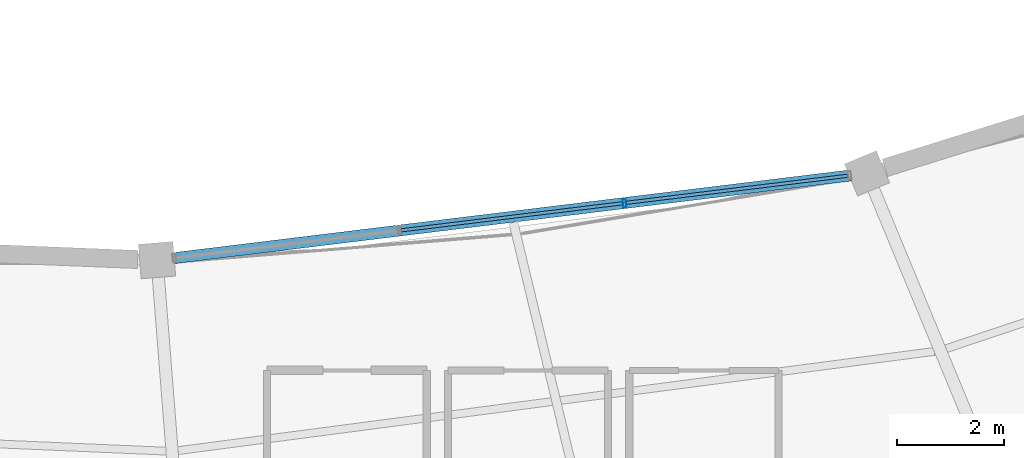
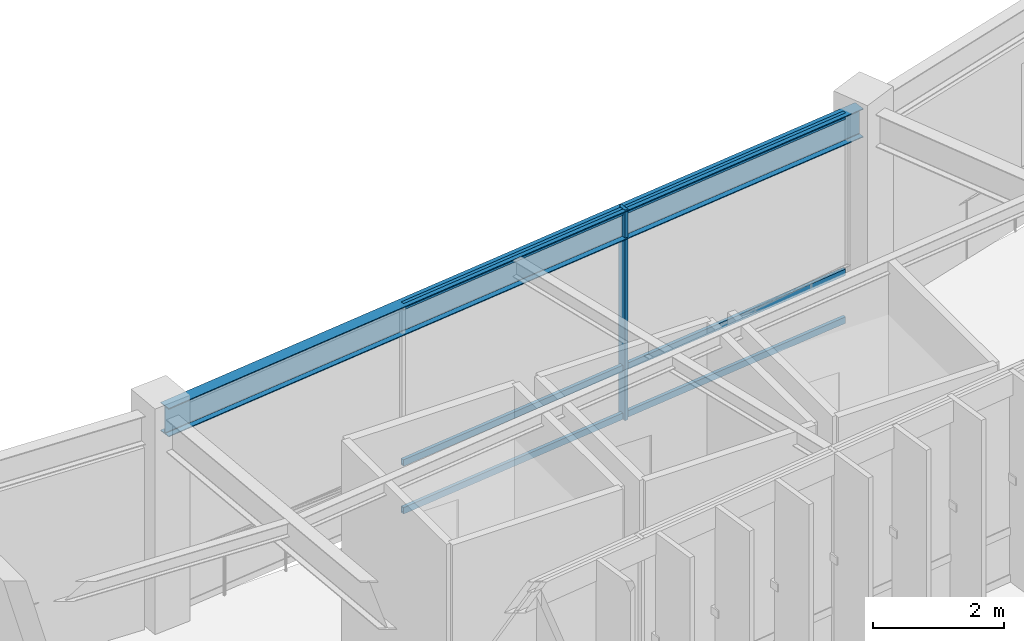
# One storey, part 53 of 138: 7 members, 1 beam, 1 element without a shape of its own.
"""IFC4 building model written with IfcOpenShell, lengths in metres."""

from ifc_helpers import new_model, si_unit, direction, frame, origin, origin_2d, place, context, subcontext, project, spatial, hollow_rectangle, i_section, extrude, material, material_profile, profile_set, type_object, element, aggregate, save


model = new_model("IFC4")

# Units and contexts
model_context = context("Model", 3, precision=1e-05, world=origin(), true_north=direction((0.0, 1.0)))
body_context = subcontext(model_context, "Body", "Model", "MODEL_VIEW")
ifc_project = project(units=[si_unit("LENGTHUNIT", "METRE"), si_unit("AREAUNIT", "SQUARE_METRE"), si_unit("VOLUMEUNIT", "CUBIC_METRE"), si_unit("PLANEANGLEUNIT", "RADIAN"), si_unit("MASSUNIT", "GRAM", prefix="KILO"), si_unit("THERMODYNAMICTEMPERATUREUNIT", "KELVIN"), si_unit("POWERUNIT", "WATT")], contexts=[model_context])

# Site, building, storey
site_placement = place(None, origin())
site = spatial("IfcSite", under=ifc_project, at=site_placement, CompositionType="ELEMENT")
building_placement = place(site_placement, origin())
building = spatial("IfcBuilding", under=site, at=building_placement, Name="Darbajah Civic Hall", CompositionType="ELEMENT")
storey_placement = place(building_placement, frame((0.0, 0.0, 9.60009765625)))
storey = spatial("IfcBuildingStorey", under=building, at=storey_placement, Name="L02", CompositionType="ELEMENT", Elevation=9.60009765625)

# Curtain wall, members
ifc_material_1 = material(Name="Anodised Bronze Aluminium and Low-E Glazing", Category="aluminium")
curtain_wall_type = type_object("IfcCurtainWallType", Name="Unitised Curtain Wall CW-50 12800x3900", PredefinedType="USERDEFINED", material=ifc_material_1)
curtain_wall_placement = place(storey_placement, origin())
curtain_wall = element("IfcCurtainWall", 1, at=curtain_wall_placement, inside=storey, type_object=curtain_wall_type, Name="L02 unitised curtain wall CW-V1I-L02-15", ObjectType="UNITISED CURTAIN WALL", PredefinedType="USERDEFINED")
ifc_material_2 = material(Name="Anodised Bronze Aluminium", Category="aluminium")
ifc_material_profile_1 = material_profile(ifc_material_2, hollow_rectangle(XDim=0.06005859375, YDim=0.159912109375, WallThickness=0.00341796875, at=origin_2d()), Name="ALU MULLION 60x160")
ifc_profile_set_1 = profile_set([ifc_material_profile_1], Name="Anodised Bronze Aluminium")
member_type_1 = type_object("IfcMemberType", Name="ALU MULLION 60x160", PredefinedType="MULLION", material=ifc_profile_set_1)
member_1_placement = place(storey_placement, frame((101.3115234375, 68.641357421875, 0.0), z_axis=(0.0, 0.0, 1.0), x_axis=(0.992609826221, 0.121349630774, 0.0)))
member_1 = element("IfcMember", 2, at=member_1_placement, type_object=member_type_1, Name="CW-V1I-L02-15 mullion 3", PredefinedType="MULLION", context=body_context, shape_type="SweptSolid", body=[
    extrude(hollow_rectangle(XDim=0.06005859375, YDim=0.159912109375, WallThickness=0.00341796875, at=origin_2d()), origin(), (0.0, 0.0, 1.0), 3.919921875),
])
ifc_material_profile_2 = material_profile(ifc_material_2, hollow_rectangle(XDim=0.06005859375, YDim=0.1201171875, WallThickness=0.003173828125, at=origin_2d()), Name="ALU TRANSOM 60x120")
ifc_profile_set_2 = profile_set([ifc_material_profile_2], Name="Anodised Bronze Aluminium")
member_type_2 = type_object("IfcMemberType", Name="ALU TRANSOM 60x120", PredefinedType="USERDEFINED", material=ifc_profile_set_2)
member_2_placement = place(storey_placement, frame((97.12109375, 68.129150390625, 0.059814453125), z_axis=(0.992609772205, 0.12135007261, 0.0), x_axis=(-0.12135007261, 0.992609772205, 0.0)))
member_2 = element("IfcMember", 3, at=member_2_placement, type_object=member_type_2, Name="CW-V1I-L02-15 transom 2.1", ObjectType="TRANSOM", PredefinedType="USERDEFINED", context=body_context, shape_type="SweptSolid", body=[
    extrude(hollow_rectangle(XDim=0.06005859375, YDim=0.1201171875, WallThickness=0.003173828125, at=origin_2d()), origin(), (0.0, 0.0, 1.0), 4.186767578125),
])
member_3_placement = place(storey_placement, frame((97.12109375, 68.129150390625, 0.949951171875), z_axis=(0.992609772205, 0.12135007261, 0.0), x_axis=(-0.12135007261, 0.992609772205, 0.0)))
member_3 = element("IfcMember", 4, at=member_3_placement, type_object=member_type_2, Name="CW-V1I-L02-15 transom 2.2", ObjectType="TRANSOM", PredefinedType="USERDEFINED", context=body_context, shape_type="SweptSolid", body=[
    extrude(hollow_rectangle(XDim=0.06005859375, YDim=0.1201171875, WallThickness=0.003173828125, at=origin_2d()), origin(), (0.0, 0.0, 1.0), 4.186767578125),
])
member_4_placement = place(storey_placement, frame((97.12109375, 68.129150390625, 3.85986328125), z_axis=(0.992609772205, 0.12135007261, 0.0), x_axis=(-0.12135007261, 0.992609772205, 0.0)))
member_4 = element("IfcMember", 5, at=member_4_placement, type_object=member_type_2, Name="CW-V1I-L02-15 transom 2.3", ObjectType="TRANSOM", PredefinedType="USERDEFINED", context=body_context, shape_type="SweptSolid", body=[
    extrude(hollow_rectangle(XDim=0.06005859375, YDim=0.1201171875, WallThickness=0.003173828125, at=origin_2d()), origin(), (0.0, 0.0, 1.0), 4.186767578125),
])
member_5_placement = place(storey_placement, frame((101.346435546875, 68.6455078125, 0.059814453125), z_axis=(0.992609772205, 0.12135007261, 0.0), x_axis=(-0.12135007261, 0.992609772205, 0.0)))
member_5 = element("IfcMember", 6, at=member_5_placement, type_object=member_type_2, Name="CW-V1I-L02-15 transom 3.1", ObjectType="TRANSOM", PredefinedType="USERDEFINED", context=body_context, shape_type="SweptSolid", body=[
    extrude(hollow_rectangle(XDim=0.06005859375, YDim=0.1201171875, WallThickness=0.003173828125, at=origin_2d()), origin(), (0.0, 0.0, 1.0), 4.186767578125),
])
member_6_placement = place(storey_placement, frame((101.346435546875, 68.6455078125, 0.949951171875), z_axis=(0.992609772205, 0.12135007261, 0.0), x_axis=(-0.12135007261, 0.992609772205, 0.0)))
member_6 = element("IfcMember", 7, at=member_6_placement, type_object=member_type_2, Name="CW-V1I-L02-15 transom 3.2", ObjectType="TRANSOM", PredefinedType="USERDEFINED", context=body_context, shape_type="SweptSolid", body=[
    extrude(hollow_rectangle(XDim=0.06005859375, YDim=0.1201171875, WallThickness=0.003173828125, at=origin_2d()), origin(), (0.0, 0.0, 1.0), 4.186767578125),
])
member_7_placement = place(storey_placement, frame((101.346435546875, 68.6455078125, 3.85986328125), z_axis=(0.992609772205, 0.12135007261, 0.0), x_axis=(-0.12135007261, 0.992609772205, 0.0)))
member_7 = element("IfcMember", 8, at=member_7_placement, type_object=member_type_2, Name="CW-V1I-L02-15 transom 3.3", ObjectType="TRANSOM", PredefinedType="USERDEFINED", context=body_context, shape_type="SweptSolid", body=[
    extrude(hollow_rectangle(XDim=0.06005859375, YDim=0.1201171875, WallThickness=0.003173828125, at=origin_2d()), origin(), (0.0, 0.0, 1.0), 4.186767578125),
])
aggregate(curtain_wall, [member_1, member_2, member_3, member_4, member_5, member_6, member_7])

# Beam
ifc_material_3 = material(Name="Steel S355JR", Category="steel")
ifc_material_profile_3 = material_profile(ifc_material_3, i_section(OverallWidth=0.209228515625, OverallDepth=0.533203125, WebThickness=0.010009765625, FlangeThickness=0.015625, FilletRadius=0.0126953125, at=origin_2d()), Name="UB 533x210x92")
ifc_profile_set_3 = profile_set([ifc_material_profile_3], Name="Steel S355JR")
beam_type = type_object("IfcBeamType", Name="UB 533x210x92", PredefinedType="BEAM", material=ifc_profile_set_3)
beam_placement = place(storey_placement, frame((92.615966796875, 67.578369140625, 3.6533203125), z_axis=(0.992611744559, 0.121333938216, 0.0), x_axis=(-0.121333938216, 0.992611744559, 0.0)))
element("IfcBeam", 9, at=beam_placement, inside=storey, type_object=beam_type, Name="L02 beam SB-533", PredefinedType="BEAM", context=body_context, shape_type="SweptSolid", body=[
    extrude(i_section(OverallWidth=0.209228515625, OverallDepth=0.533203125, WebThickness=0.010009765625, FlangeThickness=0.015625, FilletRadius=0.0126953125, at=origin_2d()), origin(), (0.0, 0.0, 1.0), 13.263916015625),
])

save(model, "model.ifc")
